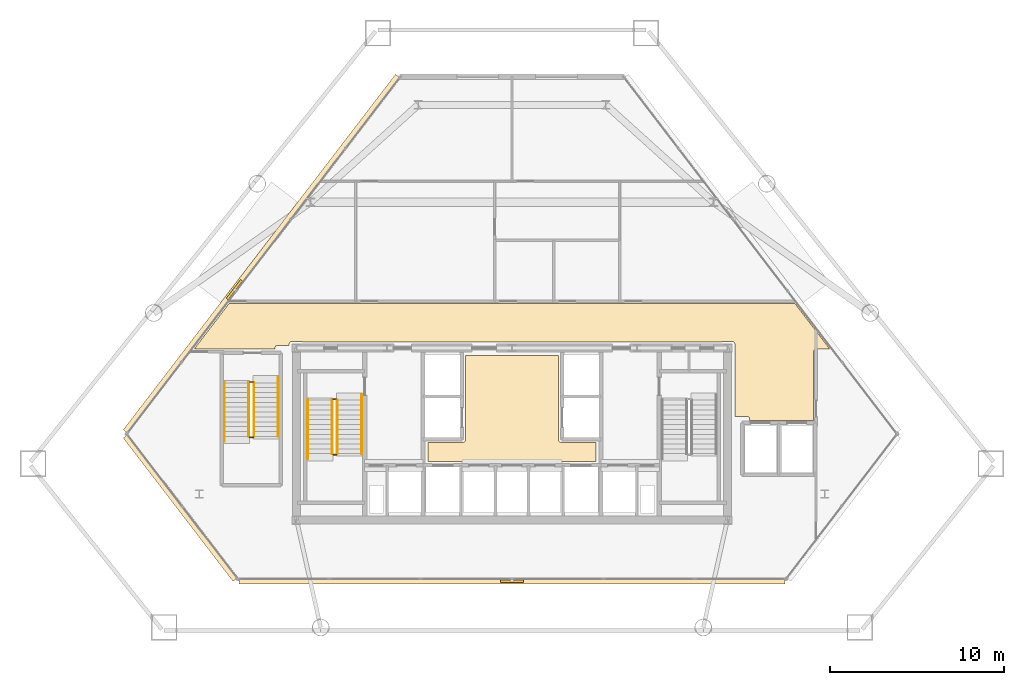
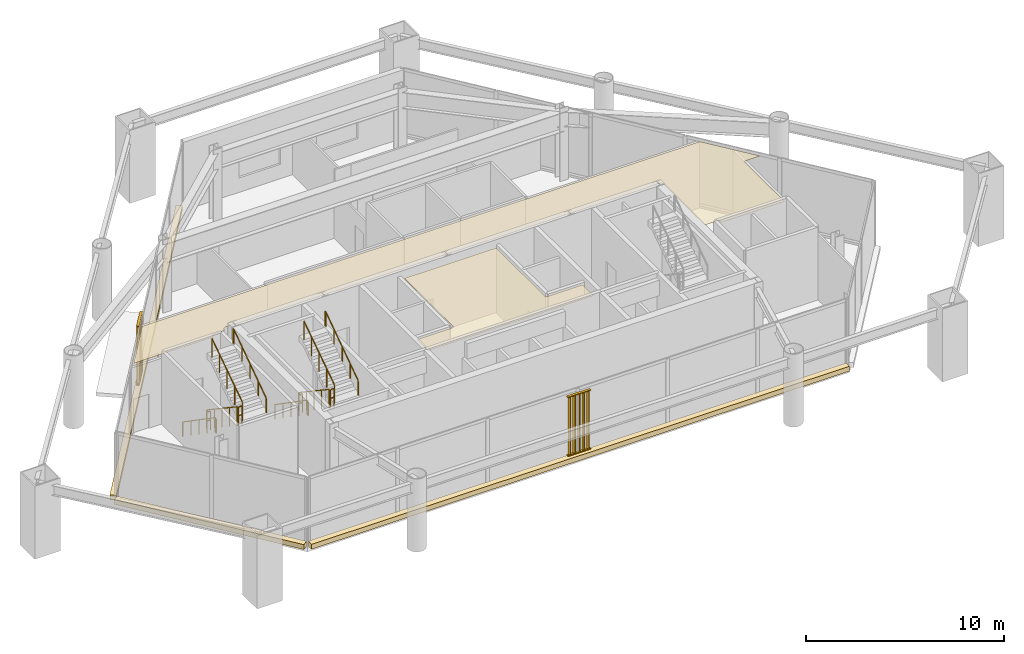
# One storey, part 10 of 11: 12 railings, 5 coverings, 2 shading devices.
"""IFC4 building model written with IfcOpenShell, lengths in metres."""

from ifc_helpers import new_model, si_unit, direction, frame, origin, origin_2d, place, context, subcontext, project, spatial, polyline, rectangle, outline, extrude, source, transform, mapped, material, layer, layer_set, type_object, type_shapes, element, save


model = new_model("IFC4")

# Units and contexts
model_context = context("Model", 3, precision=1e-05, world=origin(), true_north=direction((0.0, 1.0)))
body_context = subcontext(model_context, "Body", "Model", "MODEL_VIEW")
ifc_project = project(units=[si_unit("LENGTHUNIT", "METRE"), si_unit("AREAUNIT", "SQUARE_METRE"), si_unit("VOLUMEUNIT", "CUBIC_METRE"), si_unit("PLANEANGLEUNIT", "RADIAN"), si_unit("MASSUNIT", "GRAM", prefix="KILO")], contexts=[model_context])

# Site, building, storey
site_placement = place(None, origin())
site = spatial("IfcSite", under=ifc_project, at=site_placement, CompositionType="ELEMENT")
building_placement = place(site_placement, origin())
building = spatial("IfcBuilding", under=site, at=building_placement, Name="Talgorran Terracotta Tower", CompositionType="ELEMENT")
storey_placement = place(building_placement, frame((0.0, 0.0, 5.39990234375)))
storey = spatial("IfcBuildingStorey", under=building, at=storey_placement, Name="L01", CompositionType="ELEMENT", Elevation=5.39990234375)

# Coverings
ifc_material_1 = material(Name="Mineral Fibre Acoustic Tile")
ifc_layer_1 = layer(ifc_material_1, 0.02490234375, Name="COV_CEIL_ACOUSTIC")
ifc_layer_set_1 = layer_set([ifc_layer_1], Name="Mineral Fibre Acoustic Tile")
covering_type_1 = type_object("IfcCoveringType", Name="COV_CEIL_ACOUSTIC", PredefinedType="CEILING", material=ifc_layer_set_1)
covering_1_placement = place(storey_placement, frame((0.0, 0.0, 4.130126953125)))
element("IfcCovering", 1, at=covering_1_placement, inside=storey, type_object=covering_type_1, Name="CEIL-L01-2", PredefinedType="CEILING", context=body_context, shape_type="SweptSolid", body=[
    extrude(outline(polyline([(-12.788818359375, -3.878662109375), (-12.79296875, -3.882568359375), (-12.80078125, -3.89111328125), (-12.806396484375, -3.89794921875), (-12.8134765625, -3.907470703125), (-12.819580078125, -3.91748046875), (-12.82470703125, -3.927978515625), (-12.82861328125, -3.93896484375), (-12.83154296875, -3.9501953125), (-12.833251953125, -3.9619140625), (-12.833984375, -3.9736328125), (-12.834228515625, -4.044921875), (-13.5, -4.044921875), (-13.51171875, -4.045654296875), (-13.523193359375, -4.04736328125), (-13.53466796875, -4.050048828125), (-13.54296875, -4.052490234375), (-13.553955078125, -4.056396484375), (-13.564697265625, -4.0615234375), (-13.57470703125, -4.067626953125), (-13.584228515625, -4.07470703125), (-13.593017578125, -4.08251953125), (-13.600830078125, -4.09130859375), (-13.6064453125, -4.097900390625), (-13.613525390625, -4.107421875), (-13.61962890625, -4.117431640625), (-13.62451171875, -4.1279296875), (-13.628662109375, -4.138916015625), (-13.631591796875, -4.150390625), (-13.63330078125, -4.162109375), (-13.6337890625, -4.173583984375), (-13.634521484375, -4.264892578125), (-18.302490234375, -4.264892578125), (-16.2880859375, -1.635009765625), (16.2880859375, -1.635009765625), (18.302490234375, -4.264892578125), (17.5, -4.264892578125), (17.48828125, -4.265625), (17.476806640625, -4.267333984375), (17.46533203125, -4.27001953125), (17.45703125, -4.272705078125), (17.446044921875, -4.276611328125), (17.435302734375, -4.281494140625), (17.42529296875, -4.28759765625), (17.415771484375, -4.294677734375), (17.406982421875, -4.302490234375), (17.399169921875, -4.311279296875), (17.3935546875, -4.318115234375), (17.386474609375, -4.327392578125), (17.38037109375, -4.337646484375), (17.375244140625, -4.348388671875), (17.371337890625, -4.359375), (17.368408203125, -4.370849609375), (17.36669921875, -4.382568359375), (17.3662109375, -4.394287109375), (17.364990234375, -8.364990234375), (13.684814453125, -8.364990234375), (13.684814453125, -8.2783203125), (13.684326171875, -8.2666015625), (13.6826171875, -8.255126953125), (13.6796875, -8.243896484375), (13.67578125, -8.232666015625), (13.672607421875, -8.224609375), (13.66748046875, -8.214111328125), (13.66162109375, -8.2041015625), (13.65478515625, -8.19482421875), (13.64697265625, -8.186279296875), (13.638427734375, -8.17822265625), (13.629150390625, -8.17138671875), (13.621826171875, -8.16650390625), (13.61181640625, -8.16015625), (13.60107421875, -8.155029296875), (13.58984375, -8.15087890625), (13.578125, -8.14794921875), (13.56640625, -8.146240234375), (13.554443359375, -8.1455078125), (12.8349609375, -8.14501953125), (12.8349609375, -3.97998046875), (12.83447265625, -3.96826171875), (12.832763671875, -3.956787109375), (12.829833984375, -3.9453125), (12.827392578125, -3.93701171875), (12.823486328125, -3.926025390625), (12.818359375, -3.915283203125), (12.8125, -3.9052734375), (12.805419921875, -3.895751953125), (12.797607421875, -3.886962890625), (12.7890625, -3.87939453125), (12.785888671875, -3.872314453125), (12.77978515625, -3.8623046875), (12.772705078125, -3.852783203125), (12.764892578125, -3.843994140625), (12.756103515625, -3.836181640625), (12.74658203125, -3.8291015625), (12.736572265625, -3.8232421875), (12.725830078125, -3.818115234375), (12.71484375, -3.814208984375), (12.703369140625, -3.811279296875), (12.69189453125, -3.8095703125), (12.679931640625, -3.80908203125), (12.1201171875, -3.80908203125), (12.108154296875, -3.8095703125), (12.0966796875, -3.811279296875), (12.085205078125, -3.814208984375), (12.07421875, -3.818115234375), (12.0634765625, -3.8232421875), (12.05322265625, -3.8291015625), (12.0439453125, -3.836181640625), (12.03515625, -3.843994140625), (12.034423828125, -3.844970703125), (7.432861328125, -3.844970703125), (6.968017578125, -3.843017578125), (6.967529296875, -3.843017578125), (0.232666015625, -3.844970703125), (-0.23193359375, -3.843017578125), (-0.232421875, -3.843017578125), (-6.96728515625, -3.844970703125), (-7.431884765625, -3.843017578125), (-7.4326171875, -3.843017578125), (-12.034423828125, -3.844970703125), (-12.03515625, -3.843994140625), (-12.0439453125, -3.836181640625), (-12.05322265625, -3.8291015625), (-12.0634765625, -3.8232421875), (-12.07421875, -3.818115234375), (-12.085205078125, -3.814208984375), (-12.0966796875, -3.811279296875), (-12.108154296875, -3.8095703125), (-12.1201171875, -3.80908203125), (-12.679931640625, -3.80908203125), (-12.69189453125, -3.8095703125), (-12.703369140625, -3.811279296875), (-12.71484375, -3.814208984375), (-12.725830078125, -3.818115234375), (-12.736572265625, -3.8232421875), (-12.74658203125, -3.8291015625), (-12.756103515625, -3.836181640625), (-12.764892578125, -3.843994140625), (-12.772705078125, -3.852783203125), (-12.77978515625, -3.8623046875), (-12.785888671875, -3.872314453125), (-12.788818359375, -3.878662109375)])), origin(), (0.0, 0.0, 1.0), 0.02001953125),
])
ifc_material_2 = material(Name="Flush Moisture-Resistant Plaster")
ifc_layer_2 = layer(ifc_material_2, 0.01806640625, Name="COV_CEIL_PLASTER")
ifc_layer_set_2 = layer_set([ifc_layer_2], Name="Flush Moisture-Resistant Plaster")
covering_type_2 = type_object("IfcCoveringType", Name="COV_CEIL_PLASTER", PredefinedType="CEILING", material=ifc_layer_set_2)
covering_2_placement = place(storey_placement, frame((0.0, 0.0, 4.130126953125)))
element("IfcCovering", 2, at=covering_2_placement, inside=storey, type_object=covering_type_2, Name="CEIL-L01-1", PredefinedType="CEILING", context=body_context, shape_type="SweptSolid", body=[
    extrude(outline(polyline([(-4.830078125, -9.6201171875), (-2.800048828125, -9.6201171875), (-2.7880859375, -9.619384765625), (-2.776611328125, -9.61767578125), (-2.76513671875, -9.61474609375), (-2.754150390625, -9.61083984375), (-2.743408203125, -9.605712890625), (-2.7333984375, -9.599853515625), (-2.723876953125, -9.5927734375), (-2.715087890625, -9.5849609375), (-2.707275390625, -9.576171875), (-2.7001953125, -9.566650390625), (-2.694091796875, -9.556640625), (-2.689208984375, -9.5458984375), (-2.685302734375, -9.534912109375), (-2.682373046875, -9.5234375), (-2.6806640625, -9.51171875), (-2.679931640625, -9.5), (-2.679931640625, -4.6201171875), (2.679931640625, -4.6201171875), (2.679931640625, -9.5), (2.6806640625, -9.51171875), (2.682373046875, -9.5234375), (2.685302734375, -9.534912109375), (2.689208984375, -9.5458984375), (2.694091796875, -9.556640625), (2.7001953125, -9.566650390625), (2.707275390625, -9.576171875), (2.715087890625, -9.5849609375), (2.723876953125, -9.5927734375), (2.7333984375, -9.599853515625), (2.743408203125, -9.605712890625), (2.754150390625, -9.61083984375), (2.76513671875, -9.61474609375), (2.776611328125, -9.61767578125), (2.7880859375, -9.619384765625), (2.800048828125, -9.6201171875), (4.830078125, -9.6201171875), (4.830078125, -10.72998046875), (-4.830078125, -10.72998046875), (-4.830078125, -9.6201171875)])), origin(), (0.0, 0.0, 1.0), 0.02001953125),
])
ifc_material_3 = material(Name="Kiln-Fired Terracotta Cladding", Category="masonry")
ifc_layer_3 = layer(ifc_material_3, 0.090087890625, Name="COV_PORTAL_TERRA")
ifc_layer_set_3 = layer_set([ifc_layer_3], Name="Kiln-Fired Terracotta Cladding")
covering_type_3 = type_object("IfcCoveringType", Name="COV_PORTAL_TERRA", PredefinedType="CLADDING", material=ifc_layer_set_3)
covering_3_placement = place(storey_placement, frame((-19.0859375, -13.39501953125, -0.0400390625), z_axis=(0.0, 0.0, 1.0), x_axis=(0.608068865901, -0.793884282702, 0.0)))
element("IfcCovering", 3, at=covering_3_placement, inside=storey, type_object=covering_type_3, Name="L01 Striped Postmodern Portal Cladding Band F0", PredefinedType="CLADDING", context=body_context, shape_type="SweptSolid", body=[
    extrude(rectangle(XDim=10.38525390625, YDim=0.340087890625, at=origin_2d()), origin(), (0.0, 0.0, 1.0), 0.300048828125),
])
covering_4_placement = place(storey_placement, frame((0.0, -17.6201171875, -0.0400390625), z_axis=(0.0, 0.0, 1.0), x_axis=(1.0, 0.0, 0.0)))
element("IfcCovering", 4, at=covering_4_placement, inside=storey, type_object=covering_type_3, Name="L01 Striped Postmodern Portal Cladding Band F1", PredefinedType="CLADDING", context=body_context, shape_type="SweptSolid", body=[
    extrude(rectangle(XDim=31.441650390625, YDim=0.340087890625, at=origin_2d()), origin(), (0.0, 0.0, 1.0), 0.300048828125),
])
covering_5_placement = place(storey_placement, frame((-14.406005859375, 1.22509765625, -0.0400390625), z_axis=(0.0, 0.0, 1.0), x_axis=(-0.608068865901, -0.793884282702, 0.0)))
element("IfcCovering", 5, at=covering_5_placement, inside=storey, type_object=covering_type_3, Name="L01 Striped Postmodern Portal Cladding Band F5", PredefinedType="CLADDING", context=body_context, shape_type="SweptSolid", body=[
    extrude(rectangle(XDim=25.778076171875, YDim=0.340087890625, at=origin_2d()), origin(), (0.0, 0.0, 1.0), 0.300048828125),
])

# Railings
ifc_material_4 = material(Name="Steel S355 (300PLUS)", Category="steel")
railing_type_1 = type_object("IfcRailingType", Name="RL_HANDRAIL_920", PredefinedType="HANDRAIL", material=ifc_material_4)
railing_1_placement = place(storey_placement, frame((-11.75, -7.199951171875, 0.1875)))
element("IfcRailing", 6, at=railing_1_placement, inside=storey, type_object=railing_type_1, Name="L01 ST-01 stair handrail 1", PredefinedType="HANDRAIL", context=body_context, shape_type="SweptSolid", body=[
    extrude(rectangle(XDim=0.048095703125, YDim=0.048095703125, at=origin_2d()), frame((0.0, 0.0, 0.89599609375), z_axis=(0.0, -0.82301009837, 0.568026740551), x_axis=(1.0, 0.0, 0.0)), (0.0, 0.0, 1.0), 3.961181640625),
    extrude(rectangle(XDim=0.048095703125, YDim=0.048095703125, at=origin_2d()), frame((0.0, -3.260009765625, 3.14599609375), z_axis=(0.0, -1.0, 0.0), x_axis=(1.0, 0.0, 0.0)), (0.0, 0.0, 1.0), 0.1201171875),
    extrude(rectangle(XDim=0.0419921875, YDim=0.0419921875, at=origin_2d()), origin(), (0.0, 0.0, 1.0), 0.871826171875),
    extrude(rectangle(XDim=0.0419921875, YDim=0.0419921875, at=origin_2d()), frame((0.0, -0.81494140625, 0.5625)), (0.0, 0.0, 1.0), 0.871826171875),
    extrude(rectangle(XDim=0.0419921875, YDim=0.0419921875, at=origin_2d()), frame((0.0, -1.6298828125, 1.125)), (0.0, 0.0, 1.0), 0.871826171875),
    extrude(rectangle(XDim=0.0419921875, YDim=0.0419921875, at=origin_2d()), frame((0.0, -2.445068359375, 1.6875)), (0.0, 0.0, 1.0), 0.871826171875),
    extrude(rectangle(XDim=0.0419921875, YDim=0.0419921875, at=origin_2d()), frame((0.0, -3.260009765625, 2.25)), (0.0, 0.0, 1.0), 0.871826171875),
    extrude(rectangle(XDim=0.0419921875, YDim=0.0419921875, at=origin_2d()), frame((0.0, -3.380126953125, 2.25)), (0.0, 0.0, 1.0), 0.871826171875),
])
railing_2_placement = place(storey_placement, frame((-8.64990234375, -10.280029296875, 2.4375)))
element("IfcRailing", 7, at=railing_2_placement, inside=storey, type_object=railing_type_1, Name="L01 ST-01 stair handrail 2", PredefinedType="HANDRAIL", context=body_context, shape_type="SweptSolid", body=[
    extrude(rectangle(XDim=0.048095703125, YDim=0.048095703125, at=origin_2d()), frame((0.0, 0.0, 0.89599609375), z_axis=(0.0, 0.82301009837, 0.568026740551), x_axis=(-1.0, 0.0, 0.0)), (0.0, 0.0, 1.0), 3.961181640625),
    extrude(rectangle(XDim=0.048095703125, YDim=0.048095703125, at=origin_2d()), frame((0.0, 3.260009765625, 3.14599609375), z_axis=(0.0, 1.0, 0.0), x_axis=(-1.0, 0.0, 0.0)), (0.0, 0.0, 1.0), 0.1201171875),
    extrude(rectangle(XDim=0.0419921875, YDim=0.0419921875, at=origin_2d()), origin(), (0.0, 0.0, 1.0), 0.871826171875),
    extrude(rectangle(XDim=0.0419921875, YDim=0.0419921875, at=origin_2d()), frame((0.0, 0.81494140625, 0.5625)), (0.0, 0.0, 1.0), 0.871826171875),
    extrude(rectangle(XDim=0.0419921875, YDim=0.0419921875, at=origin_2d()), frame((0.0, 1.6298828125, 1.125)), (0.0, 0.0, 1.0), 0.871826171875),
    extrude(rectangle(XDim=0.0419921875, YDim=0.0419921875, at=origin_2d()), frame((0.0, 2.445068359375, 1.6875)), (0.0, 0.0, 1.0), 0.871826171875),
    extrude(rectangle(XDim=0.0419921875, YDim=0.0419921875, at=origin_2d()), frame((0.0, 3.260009765625, 2.25)), (0.0, 0.0, 1.0), 0.871826171875),
    extrude(rectangle(XDim=0.0419921875, YDim=0.0419921875, at=origin_2d()), frame((0.0, 3.380126953125, 2.25)), (0.0, 0.0, 1.0), 0.871826171875),
])
railing_3_placement = place(storey_placement, frame((-16.550048828125, -6.199951171875, 0.1875)))
element("IfcRailing", 8, at=railing_3_placement, inside=storey, type_object=railing_type_1, Name="L01 ST-03 stair handrail 1", PredefinedType="HANDRAIL", context=body_context, shape_type="SweptSolid", body=[
    extrude(rectangle(XDim=0.048095703125, YDim=0.048095703125, at=origin_2d()), frame((0.0, 0.0, 0.89599609375), z_axis=(0.0, -0.82301009837, 0.568026740551), x_axis=(1.0, 0.0, 0.0)), (0.0, 0.0, 1.0), 3.961181640625),
    extrude(rectangle(XDim=0.048095703125, YDim=0.048095703125, at=origin_2d()), frame((0.0, -3.260009765625, 3.14599609375), z_axis=(0.0, -1.0, 0.0), x_axis=(1.0, 0.0, 0.0)), (0.0, 0.0, 1.0), 0.1201171875),
    extrude(rectangle(XDim=0.0419921875, YDim=0.0419921875, at=origin_2d()), origin(), (0.0, 0.0, 1.0), 0.871826171875),
    extrude(rectangle(XDim=0.0419921875, YDim=0.0419921875, at=origin_2d()), frame((0.0, -0.81494140625, 0.5625)), (0.0, 0.0, 1.0), 0.871826171875),
    extrude(rectangle(XDim=0.0419921875, YDim=0.0419921875, at=origin_2d()), frame((0.0, -1.6298828125, 1.125)), (0.0, 0.0, 1.0), 0.871826171875),
    extrude(rectangle(XDim=0.0419921875, YDim=0.0419921875, at=origin_2d()), frame((0.0, -2.445068359375, 1.6875)), (0.0, 0.0, 1.0), 0.871826171875),
    extrude(rectangle(XDim=0.0419921875, YDim=0.0419921875, at=origin_2d()), frame((0.0, -3.260009765625, 2.25)), (0.0, 0.0, 1.0), 0.871826171875),
    extrude(rectangle(XDim=0.0419921875, YDim=0.0419921875, at=origin_2d()), frame((0.0, -3.380126953125, 2.25)), (0.0, 0.0, 1.0), 0.871826171875),
])
railing_4_placement = place(storey_placement, frame((-13.449951171875, -9.280029296875, 2.4375)))
element("IfcRailing", 9, at=railing_4_placement, inside=storey, type_object=railing_type_1, Name="L01 ST-03 stair handrail 2", PredefinedType="HANDRAIL", context=body_context, shape_type="SweptSolid", body=[
    extrude(rectangle(XDim=0.048095703125, YDim=0.048095703125, at=origin_2d()), frame((0.0, 0.0, 0.89599609375), z_axis=(0.0, 0.82301009837, 0.568026740551), x_axis=(-1.0, 0.0, 0.0)), (0.0, 0.0, 1.0), 3.961181640625),
    extrude(rectangle(XDim=0.048095703125, YDim=0.048095703125, at=origin_2d()), frame((0.0, 3.260009765625, 3.14599609375), z_axis=(0.0, 1.0, 0.0), x_axis=(-1.0, 0.0, 0.0)), (0.0, 0.0, 1.0), 0.1201171875),
    extrude(rectangle(XDim=0.0419921875, YDim=0.0419921875, at=origin_2d()), origin(), (0.0, 0.0, 1.0), 0.871826171875),
    extrude(rectangle(XDim=0.0419921875, YDim=0.0419921875, at=origin_2d()), frame((0.0, 0.81494140625, 0.5625)), (0.0, 0.0, 1.0), 0.871826171875),
    extrude(rectangle(XDim=0.0419921875, YDim=0.0419921875, at=origin_2d()), frame((0.0, 1.6298828125, 1.125)), (0.0, 0.0, 1.0), 0.871826171875),
    extrude(rectangle(XDim=0.0419921875, YDim=0.0419921875, at=origin_2d()), frame((0.0, 2.445068359375, 1.6875)), (0.0, 0.0, 1.0), 0.871826171875),
    extrude(rectangle(XDim=0.0419921875, YDim=0.0419921875, at=origin_2d()), frame((0.0, 3.260009765625, 2.25)), (0.0, 0.0, 1.0), 0.871826171875),
    extrude(rectangle(XDim=0.0419921875, YDim=0.0419921875, at=origin_2d()), frame((0.0, 3.380126953125, 2.25)), (0.0, 0.0, 1.0), 0.871826171875),
])
railing_type_2 = type_object("IfcRailingType", Name="RL_STAIR_GUARD", PredefinedType="GUARDRAIL", material=ifc_material_4)
railing_5_placement = place(storey_placement, frame((-10.35009765625, -7.199951171875, 0.1875)))
element("IfcRailing", 10, at=railing_5_placement, inside=storey, type_object=railing_type_2, Name="L01 ST-01 stair guard 1", PredefinedType="GUARDRAIL", context=body_context, shape_type="SweptSolid", body=[
    extrude(rectangle(XDim=0.048095703125, YDim=0.048095703125, at=origin_2d()), frame((0.0, 0.0, 1.15576171875), z_axis=(0.0, -0.830913701846, 0.55640131208), x_axis=(1.0, 0.0, 0.0)), (0.0, 0.0, 1.0), 3.706787109375),
    extrude(rectangle(XDim=0.0419921875, YDim=0.0419921875, at=origin_2d()), origin(), (0.0, 0.0, 1.0), 1.1318359375),
    extrude(rectangle(XDim=0.0419921875, YDim=0.0419921875, at=origin_2d()), frame((0.0, -0.77001953125, 0.515625)), (0.0, 0.0, 1.0), 1.1318359375),
    extrude(rectangle(XDim=0.0419921875, YDim=0.0419921875, at=origin_2d()), frame((0.0, -1.5400390625, 1.03125)), (0.0, 0.0, 1.0), 1.1318359375),
    extrude(rectangle(XDim=0.0419921875, YDim=0.0419921875, at=origin_2d()), frame((0.0, -2.31005859375, 1.546875)), (0.0, 0.0, 1.0), 1.1318359375),
    extrude(rectangle(XDim=0.0419921875, YDim=0.0419921875, at=origin_2d()), frame((0.0, -3.080078125, 2.0625)), (0.0, 0.0, 1.0), 1.1318359375),
])
railing_6_placement = place(storey_placement, frame((-10.300048828125, -10.330078125, 2.25)))
element("IfcRailing", 11, at=railing_6_placement, inside=storey, type_object=railing_type_2, Name="L01 ST-01 stair guard 2", PredefinedType="GUARDRAIL", context=body_context, shape_type="SweptSolid", body=[
    extrude(rectangle(XDim=0.048095703125, YDim=0.048095703125, at=origin_2d()), frame((0.0, 0.0, 1.15576171875), z_axis=(1.0, 0.0, 0.0), x_axis=(0.0, 1.0, 0.0)), (0.0, 0.0, 1.0), 0.199951171875),
    extrude(rectangle(XDim=0.048095703125, YDim=0.048095703125, at=origin_2d()), frame((0.0, 0.0, 0.613525390625), z_axis=(1.0, 0.0, 0.0), x_axis=(0.0, 1.0, 0.0)), (0.0, 0.0, 1.0), 0.199951171875),
    extrude(rectangle(XDim=0.0419921875, YDim=0.0419921875, at=origin_2d()), origin(), (0.0, 0.0, 1.0), 1.1318359375),
    extrude(rectangle(XDim=0.0419921875, YDim=0.0419921875, at=origin_2d()), frame((0.199951171875, 0.0, 0.0)), (0.0, 0.0, 1.0), 1.1318359375),
])
railing_7_placement = place(storey_placement, frame((-10.050048828125, -10.280029296875, 2.4375)))
element("IfcRailing", 12, at=railing_7_placement, inside=storey, type_object=railing_type_2, Name="L01 ST-01 stair guard 3", PredefinedType="GUARDRAIL", context=body_context, shape_type="SweptSolid", body=[
    extrude(rectangle(XDim=0.048095703125, YDim=0.048095703125, at=origin_2d()), frame((0.0, 0.0, 1.15576171875), z_axis=(0.0, 0.830913701846, 0.55640131208), x_axis=(-1.0, 0.0, 0.0)), (0.0, 0.0, 1.0), 3.706787109375),
    extrude(rectangle(XDim=0.0419921875, YDim=0.0419921875, at=origin_2d()), origin(), (0.0, 0.0, 1.0), 1.1318359375),
    extrude(rectangle(XDim=0.0419921875, YDim=0.0419921875, at=origin_2d()), frame((0.0, 0.77001953125, 0.515625)), (0.0, 0.0, 1.0), 1.1318359375),
    extrude(rectangle(XDim=0.0419921875, YDim=0.0419921875, at=origin_2d()), frame((0.0, 1.5400390625, 1.03125)), (0.0, 0.0, 1.0), 1.1318359375),
    extrude(rectangle(XDim=0.0419921875, YDim=0.0419921875, at=origin_2d()), frame((0.0, 2.31005859375, 1.546875)), (0.0, 0.0, 1.0), 1.1318359375),
    extrude(rectangle(XDim=0.0419921875, YDim=0.0419921875, at=origin_2d()), frame((0.0, 3.080078125, 2.0625)), (0.0, 0.0, 1.0), 1.1318359375),
])
railing_8_placement = place(storey_placement, frame((-10.300048828125, -7.14990234375, 0.0)))
element("IfcRailing", 13, at=railing_8_placement, inside=storey, type_object=railing_type_2, Name="L01 ST-01 stair guard 4", PredefinedType="GUARDRAIL", context=body_context, shape_type="SweptSolid", body=[
    extrude(rectangle(XDim=0.048095703125, YDim=0.048095703125, at=origin_2d()), frame((0.0, 0.0, 1.15576171875), z_axis=(1.0, 0.0, 0.0), x_axis=(0.0, 1.0, 0.0)), (0.0, 0.0, 1.0), 0.199951171875),
    extrude(rectangle(XDim=0.048095703125, YDim=0.048095703125, at=origin_2d()), frame((0.0, 0.0, 0.613525390625), z_axis=(1.0, 0.0, 0.0), x_axis=(0.0, 1.0, 0.0)), (0.0, 0.0, 1.0), 0.199951171875),
    extrude(rectangle(XDim=0.0419921875, YDim=0.0419921875, at=origin_2d()), origin(), (0.0, 0.0, 1.0), 1.1318359375),
    extrude(rectangle(XDim=0.0419921875, YDim=0.0419921875, at=origin_2d()), frame((0.199951171875, 0.0, 0.0)), (0.0, 0.0, 1.0), 1.1318359375),
])
railing_9_placement = place(storey_placement, frame((-15.14990234375, -6.199951171875, 0.1875)))
element("IfcRailing", 14, at=railing_9_placement, inside=storey, type_object=railing_type_2, Name="L01 ST-03 stair guard 1", PredefinedType="GUARDRAIL", context=body_context, shape_type="SweptSolid", body=[
    extrude(rectangle(XDim=0.048095703125, YDim=0.048095703125, at=origin_2d()), frame((0.0, 0.0, 1.15576171875), z_axis=(0.0, -0.830913701846, 0.55640131208), x_axis=(1.0, 0.0, 0.0)), (0.0, 0.0, 1.0), 3.706787109375),
    extrude(rectangle(XDim=0.0419921875, YDim=0.0419921875, at=origin_2d()), origin(), (0.0, 0.0, 1.0), 1.1318359375),
    extrude(rectangle(XDim=0.0419921875, YDim=0.0419921875, at=origin_2d()), frame((0.0, -0.77001953125, 0.515625)), (0.0, 0.0, 1.0), 1.1318359375),
    extrude(rectangle(XDim=0.0419921875, YDim=0.0419921875, at=origin_2d()), frame((0.0, -1.5400390625, 1.03125)), (0.0, 0.0, 1.0), 1.1318359375),
    extrude(rectangle(XDim=0.0419921875, YDim=0.0419921875, at=origin_2d()), frame((0.0, -2.31005859375, 1.546875)), (0.0, 0.0, 1.0), 1.1318359375),
    extrude(rectangle(XDim=0.0419921875, YDim=0.0419921875, at=origin_2d()), frame((0.0, -3.080078125, 2.0625)), (0.0, 0.0, 1.0), 1.1318359375),
])
railing_10_placement = place(storey_placement, frame((-15.10009765625, -9.330078125, 2.25)))
element("IfcRailing", 15, at=railing_10_placement, inside=storey, type_object=railing_type_2, Name="L01 ST-03 stair guard 2", PredefinedType="GUARDRAIL", context=body_context, shape_type="SweptSolid", body=[
    extrude(rectangle(XDim=0.048095703125, YDim=0.048095703125, at=origin_2d()), frame((0.0, 0.0, 1.15576171875), z_axis=(1.0, 0.0, 0.0), x_axis=(0.0, 1.0, 0.0)), (0.0, 0.0, 1.0), 0.2001953125),
    extrude(rectangle(XDim=0.048095703125, YDim=0.048095703125, at=origin_2d()), frame((0.0, 0.0, 0.613525390625), z_axis=(1.0, 0.0, 0.0), x_axis=(0.0, 1.0, 0.0)), (0.0, 0.0, 1.0), 0.2001953125),
    extrude(rectangle(XDim=0.0419921875, YDim=0.0419921875, at=origin_2d()), origin(), (0.0, 0.0, 1.0), 1.1318359375),
    extrude(rectangle(XDim=0.0419921875, YDim=0.0419921875, at=origin_2d()), frame((0.2001953125, 0.0, 0.0)), (0.0, 0.0, 1.0), 1.1318359375),
])
railing_11_placement = place(storey_placement, frame((-14.85009765625, -9.280029296875, 2.4375)))
element("IfcRailing", 16, at=railing_11_placement, inside=storey, type_object=railing_type_2, Name="L01 ST-03 stair guard 3", PredefinedType="GUARDRAIL", context=body_context, shape_type="SweptSolid", body=[
    extrude(rectangle(XDim=0.048095703125, YDim=0.048095703125, at=origin_2d()), frame((0.0, 0.0, 1.15576171875), z_axis=(0.0, 0.830913701846, 0.55640131208), x_axis=(-1.0, 0.0, 0.0)), (0.0, 0.0, 1.0), 3.706787109375),
    extrude(rectangle(XDim=0.0419921875, YDim=0.0419921875, at=origin_2d()), origin(), (0.0, 0.0, 1.0), 1.1318359375),
    extrude(rectangle(XDim=0.0419921875, YDim=0.0419921875, at=origin_2d()), frame((0.0, 0.77001953125, 0.515625)), (0.0, 0.0, 1.0), 1.1318359375),
    extrude(rectangle(XDim=0.0419921875, YDim=0.0419921875, at=origin_2d()), frame((0.0, 1.5400390625, 1.03125)), (0.0, 0.0, 1.0), 1.1318359375),
    extrude(rectangle(XDim=0.0419921875, YDim=0.0419921875, at=origin_2d()), frame((0.0, 2.31005859375, 1.546875)), (0.0, 0.0, 1.0), 1.1318359375),
    extrude(rectangle(XDim=0.0419921875, YDim=0.0419921875, at=origin_2d()), frame((0.0, 3.080078125, 2.0625)), (0.0, 0.0, 1.0), 1.1318359375),
])
railing_12_placement = place(storey_placement, frame((-15.10009765625, -6.14990234375, 0.0)))
element("IfcRailing", 17, at=railing_12_placement, inside=storey, type_object=railing_type_2, Name="L01 ST-03 stair guard 4", PredefinedType="GUARDRAIL", context=body_context, shape_type="SweptSolid", body=[
    extrude(rectangle(XDim=0.048095703125, YDim=0.048095703125, at=origin_2d()), frame((0.0, 0.0, 1.15576171875), z_axis=(1.0, 0.0, 0.0), x_axis=(0.0, 1.0, 0.0)), (0.0, 0.0, 1.0), 0.2001953125),
    extrude(rectangle(XDim=0.048095703125, YDim=0.048095703125, at=origin_2d()), frame((0.0, 0.0, 0.613525390625), z_axis=(1.0, 0.0, 0.0), x_axis=(0.0, 1.0, 0.0)), (0.0, 0.0, 1.0), 0.2001953125),
    extrude(rectangle(XDim=0.0419921875, YDim=0.0419921875, at=origin_2d()), origin(), (0.0, 0.0, 1.0), 1.1318359375),
    extrude(rectangle(XDim=0.0419921875, YDim=0.0419921875, at=origin_2d()), frame((0.2001953125, 0.0, 0.0)), (0.0, 0.0, 1.0), 1.1318359375),
])

# Shading devices
ifc_material_5 = material(Name="Kiln-Fired Terracotta", Category="masonry")
ifc_layer_4 = layer(ifc_material_5, 0.139892578125, Name="SHD_BAGUETTE_TERRA")
ifc_layer_set_4 = layer_set([ifc_layer_4], Name="Kiln-Fired Terracotta")
shading_device_type = type_object("IfcShadingDeviceType", Name="SHD_BAGUETTE_TERRA", PredefinedType="JALOUSIE", material=ifc_layer_set_4)
shared_shape = source(origin(), body_context, "Body", "SweptSolid", [
    extrude(rectangle(XDim=1.35009765625, YDim=0.139892578125, at=origin_2d()), origin(), (0.0, 0.0, 1.0), 0.054931640625),
    extrude(rectangle(XDim=1.35009765625, YDim=0.139892578125, at=origin_2d()), frame((0.0, 0.0, 3.614990234375)), (0.0, 0.0, 1.0), 0.054931640625),
    extrude(rectangle(XDim=0.074951171875, YDim=0.139892578125, at=origin_2d()), frame((-0.53515625, 0.0, 0.054931640625), z_axis=(0.0, 0.0, 1.0), x_axis=(0.866025403784, 0.5, 0.0)), (0.0, 0.0, 1.0), 3.56005859375),
    extrude(rectangle(XDim=0.074951171875, YDim=0.139892578125, at=origin_2d()), frame((-0.267578125, 0.0, 0.054931640625), z_axis=(0.0, 0.0, 1.0), x_axis=(0.866025403784, 0.5, 0.0)), (0.0, 0.0, 1.0), 3.56005859375),
    extrude(rectangle(XDim=0.074951171875, YDim=0.139892578125, at=origin_2d()), frame((0.0, 0.0, 0.054931640625), z_axis=(0.0, 0.0, 1.0), x_axis=(0.866025403784, 0.5, 0.0)), (0.0, 0.0, 1.0), 3.56005859375),
    extrude(rectangle(XDim=0.074951171875, YDim=0.139892578125, at=origin_2d()), frame((0.267578125, 0.0, 0.054931640625), z_axis=(0.0, 0.0, 1.0), x_axis=(0.866025403784, 0.5, 0.0)), (0.0, 0.0, 1.0), 3.56005859375),
    extrude(rectangle(XDim=0.074951171875, YDim=0.139892578125, at=origin_2d()), frame((0.53515625, 0.0, 0.054931640625), z_axis=(0.0, 0.0, 1.0), x_axis=(0.866025403784, 0.5, 0.0)), (0.0, 0.0, 1.0), 3.56005859375),
])
type_shapes(shading_device_type, [shared_shape])
for number, where, z_axis, x_axis, name in (
    (18, (0.0, -17.6201171875, 0.35009765625), (0.0, 0.0, 1.0), (1.0, 0.0, 0.0), "BAG-L01-F1"),
    (19, (-15.980712890625, -0.830810546875, 0.35009765625), (0.0, 0.0, 1.0), (-0.608068865901, -0.793884282702, 0.0), "BAG-L01-F5"),
):
    element("IfcShadingDevice", number, at=place(storey_placement, frame(where, z_axis=z_axis, x_axis=x_axis)), inside=storey, type_object=shading_device_type, Name=name, PredefinedType="JALOUSIE", context=body_context, shape_type="MappedRepresentation", body=[
        mapped(shared_shape, transform((0.0, 0.0, 0.0), scale=1.0)),
    ])

save(model, "model.ifc")
